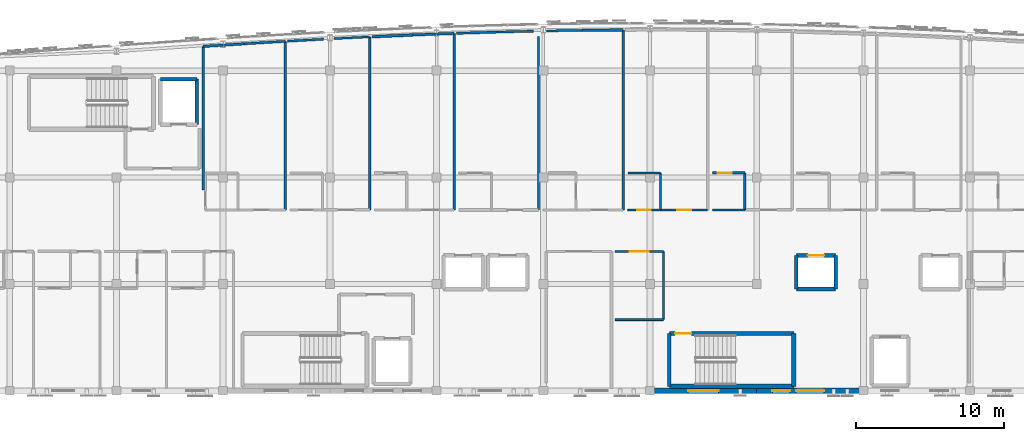
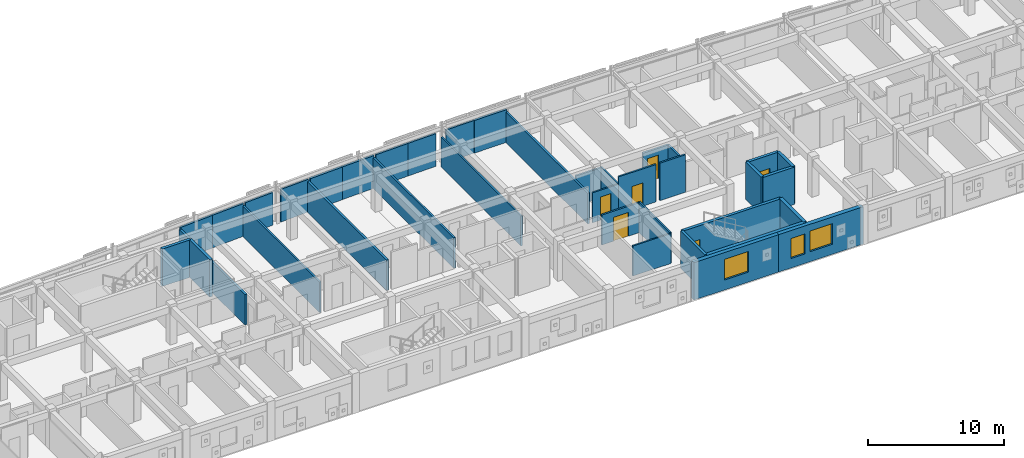
# One storey, part 42 of 51: 38 walls, 6 doors, 3 windows, 9 openings.
"""IFC4 building model written with IfcOpenShell, lengths in metres."""

from ifc_helpers import new_model, si_unit, direction, frame, frame_2d, origin, place, context, subcontext, project, spatial, rectangle, extrude, material, layer, layer_set, type_object, element, fill, save


model = new_model("IFC4")

# Units and contexts
model_context = context("Model", 3, precision=1e-05, world=origin(), true_north=direction((0.0, 1.0)))
body_context = subcontext(model_context, "Body", "Model", "MODEL_VIEW")
ifc_project = project(units=[si_unit("LENGTHUNIT", "METRE"), si_unit("AREAUNIT", "SQUARE_METRE"), si_unit("VOLUMEUNIT", "CUBIC_METRE"), si_unit("PLANEANGLEUNIT", "RADIAN"), si_unit("MASSUNIT", "GRAM", prefix="KILO")], contexts=[model_context])

# Site, building, storey
site_placement = place(None, origin())
site = spatial("IfcSite", under=ifc_project, at=site_placement, CompositionType="ELEMENT")
building_placement = place(site_placement, origin())
building = spatial("IfcBuilding", under=site, at=building_placement, Name="Carrowvane Square Congress Hotel", CompositionType="ELEMENT")
storey_placement = place(building_placement, frame((0.0, 0.0, 30.0)))
storey = spatial("IfcBuildingStorey", under=building, at=storey_placement, Name="L07", CompositionType="ELEMENT", Elevation=30.0)

# Wall, openings, windows
ifc_material_1 = material(Name="Glazed terracotta rainscreen", Category="masonry")
ifc_layer_1 = layer(ifc_material_1, 0.360107421875)
ifc_layer_set_1 = layer_set([ifc_layer_1], Name="Glazed terracotta rainscreen")
wall_type_1 = type_object("IfcWallType", Name="WL-EXT-TC360", PredefinedType="STANDARD", material=ifc_layer_set_1)
wall_1_placement = place(storey_placement, frame((112.39990234375, 91.800048828125, 0.0), z_axis=(0.0, 0.0, 1.0), x_axis=(-1.0, 0.0, 0.0)))
wall_1 = element("IfcWall", 1, at=wall_1_placement, inside=storey, type_object=wall_type_1, Name="L07 exterior facade wall 521", PredefinedType="STANDARD", context=body_context, shape_type="SweptSolid", body=[
    extrude(rectangle(XDim=7.199951171875, YDim=0.360107421875, at=frame_2d((3.60009765625, 0.0))), origin(), (0.0, 0.0, 1.0), 3.360107421875),
])
opening_1_placement = place(wall_1_placement, frame((2.64990234375, 0.0, 0.89990234375)))
opening_1 = element("IfcOpeningElement", 2, at=opening_1_placement, cuts=wall_1, Name="Opening W-25", PredefinedType="OPENING", context=body_context, shape_type="SweptSolid", body=[
    extrude(rectangle(XDim=1.89990234375, YDim=1.85009765625, at=frame_2d((0.949951171875, 0.925048828125))), frame((0.0, 0.18994140625, 0.0), z_axis=(0.0, -1.0, 0.0), x_axis=(1.0, 0.0, 0.0)), (0.0, 0.0, 1.0), 0.380126953125),
])
opening_2_placement = place(wall_1_placement, frame((4.949951171875, 0.0, 0.85009765625)))
opening_2 = element("IfcOpeningElement", 3, at=opening_2_placement, cuts=wall_1, Name="Opening W-01", PredefinedType="OPENING", context=body_context, shape_type="SweptSolid", body=[
    extrude(rectangle(XDim=1.199951171875, YDim=1.800048828125, at=frame_2d((0.60009765625, 0.89990234375))), frame((0.0, 0.18994140625, 0.0), z_axis=(0.0, -1.0, 0.0), x_axis=(1.0, 0.0, 0.0)), (0.0, 0.0, 1.0), 0.380126953125),
])
ifc_material_2 = material(Name="Double-glazed low-E glass", Category="glass")
window_type_1 = type_object("IfcWindowType", Name="WIN-01", PartitioningType="SINGLE_PANEL", PredefinedType="WINDOW", material=ifc_material_2)
window_1_placement = place(opening_2_placement, origin())
window_1 = element("IfcWindow", 4, at=window_1_placement, inside=storey, type_object=window_type_1, Name="L07 guest bedroom window 356", OverallHeight=1.800048828125, OverallWidth=1.199951171875, PartitioningType="SINGLE_PANEL", PredefinedType="WINDOW", context=body_context, shape_type="SweptSolid", body=[
    extrude(rectangle(XDim=1.199951171875, YDim=1.800048828125, at=frame_2d((0.60009765625, 0.89990234375))), frame((0.0, 0.030029296875, 0.0), z_axis=(0.0, -1.0, 0.0), x_axis=(1.0, 0.0, 0.0)), (0.0, 0.0, 1.0), 0.06005859375),
])
fill(opening_2, window_1)
ifc_material_3 = material(Name="Double-glazed low-E glass", Category="glass")
window_type_2 = type_object("IfcWindowType", Name="WIN-25", PartitioningType="SINGLE_PANEL", PredefinedType="WINDOW", material=ifc_material_3)
window_2_placement = place(opening_1_placement, origin())
window_2 = element("IfcWindow", 5, at=window_2_placement, inside=storey, type_object=window_type_2, Name="L07 facade window 355", OverallHeight=1.85009765625, OverallWidth=1.89990234375, PartitioningType="SINGLE_PANEL", PredefinedType="WINDOW", context=body_context, shape_type="SweptSolid", body=[
    extrude(rectangle(XDim=1.89990234375, YDim=1.85009765625, at=frame_2d((0.949951171875, 0.925048828125))), frame((0.0, 0.030029296875, 0.0), z_axis=(0.0, -1.0, 0.0), x_axis=(1.0, 0.0, 0.0)), (0.0, 0.0, 1.0), 0.06005859375),
])
fill(opening_1, window_2)

# Wall, opening, window
wall_2_placement = place(storey_placement, frame((105.199951171875, 91.800048828125, 0.0), z_axis=(0.0, 0.0, 1.0), x_axis=(-1.0, 0.0, 0.0)))
wall_2 = element("IfcWall", 6, at=wall_2_placement, inside=storey, type_object=wall_type_1, Name="L07 exterior facade wall 522", PredefinedType="STANDARD", context=body_context, shape_type="SweptSolid", body=[
    extrude(rectangle(XDim=7.199951171875, YDim=0.360107421875, at=frame_2d((3.60009765625, 0.0))), origin(), (0.0, 0.0, 1.0), 3.360107421875),
])
opening_3_placement = place(wall_2_placement, frame((2.574951171875, 0.0, 0.89990234375)))
opening_3 = element("IfcOpeningElement", 7, at=opening_3_placement, cuts=wall_2, Name="Opening W-26", PredefinedType="OPENING", context=body_context, shape_type="SweptSolid", body=[
    extrude(rectangle(XDim=2.050048828125, YDim=1.85009765625, at=frame_2d((1.02490234375, 0.925048828125))), frame((0.0, 0.18994140625, 0.0), z_axis=(0.0, -1.0, 0.0), x_axis=(1.0, 0.0, 0.0)), (0.0, 0.0, 1.0), 0.380126953125),
])
ifc_material_4 = material(Name="Double-glazed low-E glass", Category="glass")
window_type_3 = type_object("IfcWindowType", Name="WIN-26", PartitioningType="SINGLE_PANEL", PredefinedType="WINDOW", material=ifc_material_4)
window_3_placement = place(opening_3_placement, origin())
window_3 = element("IfcWindow", 8, at=window_3_placement, inside=storey, type_object=window_type_3, Name="L07 facade window 357", OverallHeight=1.85009765625, OverallWidth=2.050048828125, PartitioningType="SINGLE_PANEL", PredefinedType="WINDOW", context=body_context, shape_type="SweptSolid", body=[
    extrude(rectangle(XDim=2.050048828125, YDim=1.85009765625, at=frame_2d((1.02490234375, 0.925048828125))), frame((0.0, 0.030029296875, 0.0), z_axis=(0.0, -1.0, 0.0), x_axis=(1.0, 0.0, 0.0)), (0.0, 0.0, 1.0), 0.06005859375),
])
fill(opening_3, window_3)

# Walls
ifc_material_5 = material(Name="Acoustic gypsum board", Category="gypsum")
ifc_layer_2 = layer(ifc_material_5, 0.155029296875)
ifc_layer_set_2 = layer_set([ifc_layer_2], Name="Acoustic gypsum board")
wall_type_2 = type_object("IfcWallType", Name="WL-FIR-155", PredefinedType="PARTITIONING", material=ifc_layer_set_2)
wall_3_placement = place(storey_placement, frame((70.6201171875, 115.213134765625, 0.0), z_axis=(0.0, 0.0, 1.0), x_axis=(0.998192726689, 0.06009392969, 0.0)))
element("IfcWall", 9, at=wall_3_placement, inside=storey, type_object=wall_type_2, Name="L07 Parkview Suite 0713 partition", PredefinedType="PARTITIONING", context=body_context, shape_type="SweptSolid", body=[
    extrude(rectangle(XDim=2.77490234375, YDim=0.155029296875, at=frame_2d((1.387451171875, 0.0))), origin(), (0.0, 0.0, 1.0), 2.935546875),
])
wall_4_placement = place(storey_placement, frame((84.7900390625, 115.9150390625, 0.0), z_axis=(0.0, 0.0, 1.0), x_axis=(0.0, -1.0, 0.0)))
element("IfcWall", 10, at=wall_4_placement, inside=storey, type_object=wall_type_2, Name="L07 Parkview Suite 0715 partition", PredefinedType="PARTITIONING", context=body_context, shape_type="SweptSolid", body=[
    extrude(rectangle(XDim=11.9150390625, YDim=0.155029296875, at=frame_2d((5.95751953125, 0.0))), origin(), (0.0, 0.0, 1.0), 2.7451171875),
])
wall_5_placement = place(storey_placement, frame((84.949951171875, 115.920654296875, 0.0), z_axis=(0.0, 0.0, 1.0), x_axis=(0.999524543579, 0.030833209083, 0.0)))
element("IfcWall", 11, at=wall_5_placement, inside=storey, type_object=wall_type_2, Name="L07 Parkview Suite 0716 partition", PredefinedType="PARTITIONING", context=body_context, shape_type="SweptSolid", body=[
    extrude(rectangle(XDim=2.771240234375, YDim=0.155029296875, at=frame_2d((1.3857421875, 0.0))), origin(), (0.0, 0.0, 1.0), 2.935546875),
])
wall_6_placement = place(storey_placement, frame((104.39990234375, 106.5, 0.0), z_axis=(0.0, 0.0, 1.0), x_axis=(0.0, -1.0, 0.0)))
element("IfcWall", 12, at=wall_6_placement, inside=storey, type_object=wall_type_2, Name="L07 En-suite Bathroom 0719 partition", PredefinedType="PARTITIONING", context=body_context, shape_type="SweptSolid", body=[
    extrude(rectangle(XDim=2.5, YDim=0.155029296875, at=frame_2d((1.25, 0.0))), origin(), (0.0, 0.0, 1.0), 2.7451171875),
])
ifc_material_6 = material(Name="Acoustic gypsum board", Category="gypsum")
ifc_layer_3 = layer(ifc_material_6, 0.169921875)
ifc_layer_set_3 = layer_set([ifc_layer_3], Name="Acoustic gypsum board")
wall_type_3 = type_object("IfcWallType", Name="WL-FIR-170", PredefinedType="PARTITIONING", material=ifc_layer_set_3)
wall_7_placement = place(storey_placement, frame((67.85009765625, 115.035888671875, 0.0), z_axis=(0.0, 0.0, 1.0), x_axis=(0.997959077282, 0.063856715151, 0.0)))
element("IfcWall", 13, at=wall_7_placement, inside=storey, type_object=wall_type_3, Name="L07 Parkview Suite 0713 partition", PredefinedType="PARTITIONING", context=body_context, shape_type="SweptSolid", body=[
    extrude(rectangle(XDim=2.775634765625, YDim=0.169921875, at=frame_2d((1.3876953125, 0.0))), origin(), (0.0, 0.0, 1.0), 2.935546875),
])
wall_8_placement = place(storey_placement, frame((82.02001953125, 115.810546875, 0.0), z_axis=(0.0, 0.0, 1.0), x_axis=(0.999289263223, 0.03769573459, 0.0)))
element("IfcWall", 14, at=wall_8_placement, inside=storey, type_object=wall_type_3, Name="L07 Parkview Suite 0715 partition", PredefinedType="PARTITIONING", context=body_context, shape_type="SweptSolid", body=[
    extrude(rectangle(XDim=2.77197265625, YDim=0.169921875, at=frame_2d((1.385986328125, 0.0))), origin(), (0.0, 0.0, 1.0), 2.935546875),
])
wall_9_placement = place(storey_placement, frame((96.18994140625, 116.14404296875, 0.0), z_axis=(0.0, 0.0, 1.0), x_axis=(0.0, -1.0, 0.0)))
element("IfcWall", 15, at=wall_9_placement, inside=storey, type_object=wall_type_3, Name="L07 Parkview Suite 0717 partition", PredefinedType="PARTITIONING", context=body_context, shape_type="SweptSolid", body=[
    extrude(rectangle(XDim=12.14404296875, YDim=0.169921875, at=frame_2d((6.072021484375, 0.0))), origin(), (0.0, 0.0, 1.0), 2.7451171875),
])

# Wall, opening, door
wall_10_placement = place(storey_placement, frame((102.199951171875, 106.5, 0.0), z_axis=(0.0, 0.0, 1.0), x_axis=(1.0, 0.0, 0.0)))
wall_10 = element("IfcWall", 16, at=wall_10_placement, inside=storey, type_object=wall_type_3, Name="L07 En-suite Bathroom 0719 partition", PredefinedType="PARTITIONING", context=body_context, shape_type="SweptSolid", body=[
    extrude(rectangle(XDim=2.199951171875, YDim=0.169921875, at=frame_2d((1.10009765625, 0.0))), origin(), (0.0, 0.0, 1.0), 2.7451171875),
])
opening_4_placement = place(wall_10_placement, frame((0.385009765625, 0.0, 0.0)))
opening_4 = element("IfcOpeningElement", 17, at=opening_4_placement, cuts=wall_10, Name="Opening ID-18", PredefinedType="OPENING", context=body_context, shape_type="SweptSolid", body=[
    extrude(rectangle(XDim=0.929931640625, YDim=2.1298828125, at=frame_2d((0.46484375, 1.06494140625))), frame((0.0, 0.094970703125, 0.0), z_axis=(0.0, -1.0, 0.0), x_axis=(1.0, 0.0, 0.0)), (0.0, 0.0, 1.0), 0.18994140625),
])
ifc_material_7 = material(Name="European oak timber", Category="wood")
door_type_1 = type_object("IfcDoorType", Name="DR-INT-0930x2130", OperationType="NOTDEFINED", PredefinedType="DOOR", material=ifc_material_7)
door_1_placement = place(opening_4_placement, origin())
door_1 = element("IfcDoor", 18, at=door_1_placement, inside=storey, type_object=door_type_1, Name="L07 En-suite Bathroom 0719 door", OperationType="SINGLE_SWING_LEFT", OverallHeight=2.1298828125, OverallWidth=0.929931640625, PredefinedType="DOOR", context=body_context, shape_type="SweptSolid", body=[
    extrude(rectangle(XDim=0.929931640625, YDim=2.1298828125, at=frame_2d((0.46484375, 1.06494140625))), frame((0.0, 0.02490234375, 0.0), z_axis=(0.0, -1.0, 0.0), x_axis=(1.0, 0.0, 0.0)), (0.0, 0.0, 1.0), 0.050048828125),
])
fill(opening_4, door_1)

# Walls
ifc_material_8 = material(Name="Acoustic gypsum board", Category="gypsum")
ifc_layer_4 = layer(ifc_material_8, 0.18505859375)
ifc_layer_set_4 = layer_set([ifc_layer_4], Name="Acoustic gypsum board")
wall_type_4 = type_object("IfcWallType", Name="WL-FIR-185", PredefinedType="PARTITIONING", material=ifc_layer_set_4)
wall_11_placement = place(storey_placement, frame((67.85009765625, 105.364990234375, 0.0), z_axis=(0.0, 0.0, 1.0), x_axis=(0.0, 1.0, 0.0)))
element("IfcWall", 19, at=wall_11_placement, inside=storey, type_object=wall_type_4, Name="L07 Parkview Suite 0713 partition", PredefinedType="PARTITIONING", context=body_context, shape_type="SweptSolid", body=[
    extrude(rectangle(XDim=9.6708984375, YDim=0.18505859375, at=frame_2d((4.83544921875, 0.0))), origin(), (0.0, 0.0, 1.0), 2.7451171875),
])
wall_12_placement = place(storey_placement, frame((79.090087890625, 115.681640625, 0.0), z_axis=(0.0, 0.0, 1.0), x_axis=(0.0, -1.0, 0.0)))
element("IfcWall", 20, at=wall_12_placement, inside=storey, type_object=wall_type_4, Name="L07 Parkview Suite 0714 partition", PredefinedType="PARTITIONING", context=body_context, shape_type="SweptSolid", body=[
    extrude(rectangle(XDim=11.681640625, YDim=0.18505859375, at=frame_2d((5.8408203125, 0.0))), origin(), (0.0, 0.0, 1.0), 2.7451171875),
])
wall_13_placement = place(storey_placement, frame((79.25, 115.68896484375, 0.0), z_axis=(0.0, 0.0, 1.0), x_axis=(0.999038130447, 0.043849902077, 0.0)))
element("IfcWall", 21, at=wall_13_placement, inside=storey, type_object=wall_type_4, Name="L07 Parkview Suite 0715 partition", PredefinedType="PARTITIONING", context=body_context, shape_type="SweptSolid", body=[
    extrude(rectangle(XDim=2.772705078125, YDim=0.18505859375, at=frame_2d((1.38623046875, 0.0))), origin(), (0.0, 0.0, 1.0), 2.935546875),
])
wall_14_placement = place(storey_placement, frame((93.419921875, 116.120849609375, 0.0), z_axis=(0.0, 0.0, 1.0), x_axis=(0.999964948321, 0.008372701401, 0.0)))
element("IfcWall", 22, at=wall_14_placement, inside=storey, type_object=wall_type_4, Name="L07 Parkview Suite 0717 partition", PredefinedType="PARTITIONING", context=body_context, shape_type="SweptSolid", body=[
    extrude(rectangle(XDim=2.77001953125, YDim=0.18505859375, at=frame_2d((1.385009765625, 0.0))), origin(), (0.0, 0.0, 1.0), 2.935546875),
])
ifc_material_9 = material(Name="Acoustic gypsum board", Category="gypsum")
ifc_layer_5 = layer(ifc_material_9, 0.1279296875)
ifc_layer_set_5 = layer_set([ifc_layer_5], Name="Acoustic gypsum board")
wall_type_5 = type_object("IfcWallType", Name="WL-PRT-128", PredefinedType="PARTITIONING", material=ifc_layer_set_5)
wall_15_placement = place(storey_placement, frame((98.89990234375, 96.60009765625, 0.0), z_axis=(0.0, 0.0, 1.0), x_axis=(-1.0, 0.0, 0.0)))
element("IfcWall", 23, at=wall_15_placement, inside=storey, type_object=wall_type_5, Name="L07 L07 Accessible Guest WC partition", PredefinedType="PARTITIONING", context=body_context, shape_type="SweptSolid", body=[
    extrude(rectangle(XDim=3.25, YDim=0.1279296875, at=frame_2d((1.625, 0.0))), origin(), (0.0, 0.0, 1.0), 2.695068359375),
])

# Wall, opening, door
wall_16_placement = place(storey_placement, frame((98.699951171875, 104.0, 0.0), z_axis=(0.0, 0.0, 1.0), x_axis=(-1.0, 0.0, 0.0)))
wall_16 = element("IfcWall", 24, at=wall_16_placement, inside=storey, type_object=wall_type_5, Name="L07 En-suite Bathroom 0718 partition", PredefinedType="PARTITIONING", context=body_context, shape_type="SweptSolid", body=[
    extrude(rectangle(XDim=2.199951171875, YDim=0.1279296875, at=frame_2d((1.10009765625, 0.0))), origin(), (0.0, 0.0, 1.0), 2.695068359375),
])
opening_5_placement = place(wall_16_placement, frame((0.655029296875, 0.0, 0.0)))
opening_5 = element("IfcOpeningElement", 25, at=opening_5_placement, cuts=wall_16, Name="Opening ID-16", PredefinedType="OPENING", context=body_context, shape_type="SweptSolid", body=[
    extrude(rectangle(XDim=0.889892578125, YDim=2.090087890625, at=frame_2d((0.44482421875, 1.044921875))), frame((0.0, 0.073974609375, 0.0), z_axis=(0.0, -1.0, 0.0), x_axis=(1.0, 0.0, 0.0)), (0.0, 0.0, 1.0), 0.14794921875),
])
ifc_material_10 = material(Name="European oak timber", Category="wood")
door_type_2 = type_object("IfcDoorType", Name="DR-INT-0890x2090", OperationType="NOTDEFINED", PredefinedType="DOOR", material=ifc_material_10)
door_2_placement = place(opening_5_placement, origin())
door_2 = element("IfcDoor", 26, at=door_2_placement, inside=storey, type_object=door_type_2, Name="L07 En-suite Bathroom 0718 door", OperationType="SINGLE_SWING_LEFT", OverallHeight=2.090087890625, OverallWidth=0.889892578125, PredefinedType="DOOR", context=body_context, shape_type="SweptSolid", body=[
    extrude(rectangle(XDim=0.889892578125, YDim=2.090087890625, at=frame_2d((0.44482421875, 1.044921875))), frame((0.0, 0.02490234375, 0.0), z_axis=(0.0, -1.0, 0.0), x_axis=(1.0, 0.0, 0.0)), (0.0, 0.0, 1.0), 0.050048828125),
])
fill(opening_5, door_2)

# Walls
ifc_material_11 = material(Name="Acoustic gypsum board", Category="gypsum")
ifc_layer_6 = layer(ifc_material_11, 0.137939453125)
ifc_layer_set_6 = layer_set([ifc_layer_6], Name="Acoustic gypsum board")
wall_type_6 = type_object("IfcWallType", Name="WL-PRT-138", PredefinedType="PARTITIONING", material=ifc_layer_set_6)
wall_17_placement = place(storey_placement, frame((98.89990234375, 101.199951171875, 0.0), z_axis=(0.0, 0.0, 1.0), x_axis=(0.0, -1.0, 0.0)))
element("IfcWall", 27, at=wall_17_placement, inside=storey, type_object=wall_type_6, Name="L07 L07 Accessible Guest WC partition", PredefinedType="PARTITIONING", context=body_context, shape_type="SweptSolid", body=[
    extrude(rectangle(XDim=4.599853515625, YDim=0.137939453125, at=frame_2d((2.2998046875, 0.0))), origin(), (0.0, 0.0, 1.0), 2.7451171875),
])
wall_18_placement = place(storey_placement, frame((76.679443359375, 115.561279296875, 0.0), z_axis=(0.0, 0.0, 1.0), x_axis=(0.998755867805, 0.049866988336, 0.0)))
element("IfcWall", 28, at=wall_18_placement, inside=storey, type_object=wall_type_6, Name="L07 Parkview Suite 0714 partition", PredefinedType="PARTITIONING", context=body_context, shape_type="SweptSolid", body=[
    extrude(rectangle(XDim=2.41357421875, YDim=0.137939453125, at=frame_2d((1.206787109375, 0.0))), origin(), (0.0, 0.0, 1.0), 2.935546875),
])
wall_19_placement = place(storey_placement, frame((90.489990234375, 115.712890625, 0.0), z_axis=(0.0, 0.0, 1.0), x_axis=(0.0, -1.0, 0.0)))
element("IfcWall", 29, at=wall_19_placement, inside=storey, type_object=wall_type_6, Name="L07 Parkview Suite 0716 partition", PredefinedType="PARTITIONING", context=body_context, shape_type="SweptSolid", body=[
    extrude(rectangle(XDim=11.712890625, YDim=0.137939453125, at=frame_2d((5.8564453125, 0.0))), origin(), (0.0, 0.0, 1.0), 2.695068359375),
])
wall_20_placement = place(storey_placement, frame((91.010009765625, 116.08203125, 0.0), z_axis=(0.0, 0.0, 1.0), x_axis=(0.999870294782, 0.016105701233, 0.0)))
element("IfcWall", 30, at=wall_20_placement, inside=storey, type_object=wall_type_6, Name="L07 Parkview Suite 0717 partition", PredefinedType="PARTITIONING", context=body_context, shape_type="SweptSolid", body=[
    extrude(rectangle(XDim=2.41015625, YDim=0.137939453125, at=frame_2d((1.205078125, 0.0))), origin(), (0.0, 0.0, 1.0), 2.935546875),
])
wall_21_placement = place(storey_placement, frame((98.699951171875, 106.5, 0.0), z_axis=(0.0, 0.0, 1.0), x_axis=(0.0, -1.0, 0.0)))
element("IfcWall", 31, at=wall_21_placement, inside=storey, type_object=wall_type_6, Name="L07 En-suite Bathroom 0718 partition", PredefinedType="PARTITIONING", context=body_context, shape_type="SweptSolid", body=[
    extrude(rectangle(XDim=2.5, YDim=0.137939453125, at=frame_2d((1.25, 0.0))), origin(), (0.0, 0.0, 1.0), 2.7451171875),
])

# Wall, opening, door
wall_22_placement = place(storey_placement, frame((101.889892578125, 104.0, 0.0), z_axis=(0.0, 0.0, 1.0), x_axis=(-1.0, 0.0, 0.0)))
wall_22 = element("IfcWall", 32, at=wall_22_placement, inside=storey, type_object=wall_type_6, Name="L07 Parkview Suite 0718 partition", PredefinedType="PARTITIONING", context=body_context, shape_type="SweptSolid", body=[
    extrude(rectangle(XDim=3.179931640625, YDim=0.137939453125, at=frame_2d((1.58984375, 0.0))), origin(), (0.0, 0.0, 1.0), 3.360107421875),
])
opening_6_placement = place(wall_22_placement, frame((1.114990234375, 0.0, 0.0)))
opening_6 = element("IfcOpeningElement", 33, at=opening_6_placement, cuts=wall_22, Name="Opening FD-06", PredefinedType="OPENING", context=body_context, shape_type="SweptSolid", body=[
    extrude(rectangle(XDim=0.949951171875, YDim=2.10009765625, at=frame_2d((0.47509765625, 1.050048828125))), frame((0.0, 0.078857421875, 0.0), z_axis=(0.0, -1.0, 0.0), x_axis=(1.0, 0.0, 0.0)), (0.0, 0.0, 1.0), 0.157958984375),
])
ifc_material_12 = material(Name="European oak timber", Category="wood")
door_type_3 = type_object("IfcDoorType", Name="DR-FD30-0950x2100", OperationType="NOTDEFINED", PredefinedType="DOOR", material=ifc_material_12)
door_3_placement = place(opening_6_placement, origin())
door_3 = element("IfcDoor", 34, at=door_3_placement, inside=storey, type_object=door_type_3, Name="L07 Parkview Suite 0718 entrance door", OperationType="SINGLE_SWING_RIGHT", OverallHeight=2.10009765625, OverallWidth=0.949951171875, PredefinedType="DOOR", context=body_context, shape_type="SweptSolid", body=[
    extrude(rectangle(XDim=0.949951171875, YDim=2.10009765625, at=frame_2d((0.47509765625, 1.050048828125))), frame((0.0, 0.02490234375, 0.0), z_axis=(0.0, -1.0, 0.0), x_axis=(1.0, 0.0, 0.0)), (0.0, 0.0, 1.0), 0.050048828125),
])
fill(opening_6, door_3)

ifc_material_13 = material(Name="Acoustic gypsum board", Category="gypsum")
ifc_layer_7 = layer(ifc_material_13, 0.14794921875)
ifc_layer_set_7 = layer_set([ifc_layer_7], Name="Acoustic gypsum board")
wall_type_7 = type_object("IfcWallType", Name="WL-PRT-148", PredefinedType="PARTITIONING", material=ifc_layer_set_7)
wall_23_placement = place(storey_placement, frame((95.64990234375, 101.199951171875, 0.0), z_axis=(0.0, 0.0, 1.0), x_axis=(1.0, 0.0, 0.0)))
wall_23 = element("IfcWall", 35, at=wall_23_placement, inside=storey, type_object=wall_type_7, Name="L07 L07 Accessible Guest WC partition", PredefinedType="PARTITIONING", context=body_context, shape_type="SweptSolid", body=[
    extrude(rectangle(XDim=3.25, YDim=0.14794921875, at=frame_2d((1.625, 0.0))), origin(), (0.0, 0.0, 1.0), 2.695068359375),
])
opening_7_placement = place(wall_23_placement, frame((0.97509765625, 0.0, 0.0)))
opening_7 = element("IfcOpeningElement", 36, at=opening_7_placement, cuts=wall_23, Name="Opening FD-03", PredefinedType="OPENING", context=body_context, shape_type="SweptSolid", body=[
    extrude(rectangle(XDim=1.300048828125, YDim=2.14990234375, at=frame_2d((0.64990234375, 1.074951171875))), frame((0.0, 0.083984375, 0.0), z_axis=(0.0, -1.0, 0.0), x_axis=(1.0, 0.0, 0.0)), (0.0, 0.0, 1.0), 0.16796875),
])
ifc_material_14 = material(Name="European oak timber", Category="wood")
door_type_4 = type_object("IfcDoorType", Name="DR-FD60-1300x2150", OperationType="NOTDEFINED", PredefinedType="DOOR", material=ifc_material_14)
door_4_placement = place(opening_7_placement, origin())
door_4 = element("IfcDoor", 37, at=door_4_placement, inside=storey, type_object=door_type_4, Name="L07 L07 Accessible Guest WC entrance door", OperationType="SINGLE_SWING_RIGHT", OverallHeight=2.14990234375, OverallWidth=1.300048828125, PredefinedType="DOOR", context=body_context, shape_type="SweptSolid", body=[
    extrude(rectangle(XDim=1.300048828125, YDim=2.14990234375, at=frame_2d((0.64990234375, 1.074951171875))), frame((0.0, 0.02490234375, 0.0), z_axis=(0.0, -1.0, 0.0), x_axis=(1.0, 0.0, 0.0)), (0.0, 0.0, 1.0), 0.050048828125),
])
fill(opening_7, door_4)

# Walls
wall_24_placement = place(storey_placement, frame((73.389892578125, 115.3798828125, 0.0), z_axis=(0.0, 0.0, 1.0), x_axis=(0.0, -1.0, 0.0)))
element("IfcWall", 38, at=wall_24_placement, inside=storey, type_object=wall_type_7, Name="L07 Parkview Suite 0713 partition", PredefinedType="PARTITIONING", context=body_context, shape_type="SweptSolid", body=[
    extrude(rectangle(XDim=11.3798828125, YDim=0.14794921875, at=frame_2d((5.68994140625, 0.0))), origin(), (0.0, 0.0, 1.0), 2.7451171875),
])
wall_25_placement = place(storey_placement, frame((73.550048828125, 115.389404296875, 0.0), z_axis=(0.0, 0.0, 1.0), x_axis=(0.998463152475, 0.0554196098, 0.0)))
element("IfcWall", 39, at=wall_25_placement, inside=storey, type_object=wall_type_7, Name="L07 Parkview Suite 0714 partition", PredefinedType="PARTITIONING", context=body_context, shape_type="SweptSolid", body=[
    extrude(rectangle(XDim=2.4140625, YDim=0.14794921875, at=frame_2d((1.20703125, 0.0))), origin(), (0.0, 0.0, 1.0), 2.935546875),
])
wall_26_placement = place(storey_placement, frame((87.719970703125, 116.006103515625, 0.0), z_axis=(0.0, 0.0, 1.0), x_axis=(0.999709514567, 0.024101586757, 0.0)))
element("IfcWall", 40, at=wall_26_placement, inside=storey, type_object=wall_type_7, Name="L07 Parkview Suite 0716 partition", PredefinedType="PARTITIONING", context=body_context, shape_type="SweptSolid", body=[
    extrude(rectangle(XDim=2.410888671875, YDim=0.14794921875, at=frame_2d((1.20556640625, 0.0))), origin(), (0.0, 0.0, 1.0), 2.935546875),
])
wall_27_placement = place(storey_placement, frame((96.5, 106.5, 0.0), z_axis=(0.0, 0.0, 1.0), x_axis=(1.0, 0.0, 0.0)))
element("IfcWall", 41, at=wall_27_placement, inside=storey, type_object=wall_type_7, Name="L07 En-suite Bathroom 0718 partition", PredefinedType="PARTITIONING", context=body_context, shape_type="SweptSolid", body=[
    extrude(rectangle(XDim=2.199951171875, YDim=0.14794921875, at=frame_2d((1.10009765625, 0.0))), origin(), (0.0, 0.0, 1.0), 2.695068359375),
])
wall_28_placement = place(storey_placement, frame((104.39990234375, 104.0, 0.0), z_axis=(0.0, 0.0, 1.0), x_axis=(-1.0, 0.0, 0.0)))
element("IfcWall", 42, at=wall_28_placement, inside=storey, type_object=wall_type_7, Name="L07 En-suite Bathroom 0719 partition", PredefinedType="PARTITIONING", context=body_context, shape_type="SweptSolid", body=[
    extrude(rectangle(XDim=2.199951171875, YDim=0.14794921875, at=frame_2d((1.10009765625, 0.0))), origin(), (0.0, 0.0, 1.0), 3.360107421875),
])
ifc_material_15 = material(Name="Concrete C40/50", Category="concrete")
ifc_layer_8 = layer(ifc_material_15, 0.22509765625)
ifc_layer_set_8 = layer_set([ifc_layer_8], Name="Concrete C40/50")
wall_type_8 = type_object("IfcWallType", Name="WL-SHR-225", PredefinedType="SHEAR", material=ifc_layer_set_8)
wall_29_placement = place(storey_placement, frame((99.300048828125, 95.659912109375, 0.0), z_axis=(0.0, 0.0, 1.0), x_axis=(0.0, -1.0, 0.0)))
element("IfcWall", 43, at=wall_29_placement, inside=storey, type_object=wall_type_8, Name="L07 ST3 core wall west", PredefinedType="SHEAR", context=body_context, shape_type="SweptSolid", body=[
    extrude(rectangle(XDim=3.559814453125, YDim=0.22509765625, at=frame_2d((1.77978515625, 0.0))), origin(), (0.0, 0.0, 1.0), 3.360107421875),
])

# Wall, opening, door
ifc_material_16 = material(Name="Concrete C40/50", Category="concrete")
ifc_layer_9 = layer(ifc_material_16, 0.25)
ifc_layer_set_9 = layer_set([ifc_layer_9], Name="Concrete C40/50")
wall_type_9 = type_object("IfcWallType", Name="WL-SHR-250", PredefinedType="SHEAR", material=ifc_layer_set_9)
wall_30_placement = place(storey_placement, frame((107.699951171875, 95.659912109375, 0.0), z_axis=(0.0, 0.0, 1.0), x_axis=(-1.0, 0.0, 0.0)))
wall_30 = element("IfcWall", 44, at=wall_30_placement, inside=storey, type_object=wall_type_9, Name="L07 ST3 core wall north", PredefinedType="SHEAR", context=body_context, shape_type="SweptSolid", body=[
    extrude(rectangle(XDim=8.39990234375, YDim=0.25, at=frame_2d((4.199951171875, 0.0))), origin(), (0.0, 0.0, 1.0), 3.360107421875),
])
opening_8_placement = place(wall_30_placement, frame((6.909912109375, 0.0, 0.0)))
opening_8 = element("IfcOpeningElement", 45, at=opening_8_placement, cuts=wall_30, Name="Opening FD-01", PredefinedType="OPENING", context=body_context, shape_type="SweptSolid", body=[
    extrude(rectangle(XDim=1.10009765625, YDim=2.10009765625, at=frame_2d((0.550048828125, 1.050048828125))), frame((0.0, 0.135009765625, 0.0), z_axis=(0.0, -1.0, 0.0), x_axis=(1.0, 0.0, 0.0)), (0.0, 0.0, 1.0), 0.27001953125),
])
ifc_material_17 = material(Name="European oak timber", Category="wood")
door_type_5 = type_object("IfcDoorType", Name="DR-FD60-1100x2100", OperationType="NOTDEFINED", PredefinedType="DOOR", material=ifc_material_17)
door_5_placement = place(opening_8_placement, origin())
door_5 = element("IfcDoor", 46, at=door_5_placement, inside=storey, type_object=door_type_5, Name="L07 ST3 fire door", OperationType="SINGLE_SWING_LEFT", OverallHeight=2.10009765625, OverallWidth=1.10009765625, PredefinedType="DOOR", context=body_context, shape_type="SweptSolid", body=[
    extrude(rectangle(XDim=1.10009765625, YDim=2.10009765625, at=frame_2d((0.550048828125, 1.050048828125))), frame((0.0, 0.02490234375, 0.0), z_axis=(0.0, -1.0, 0.0), x_axis=(1.0, 0.0, 0.0)), (0.0, 0.0, 1.0), 0.050048828125),
])
fill(opening_8, door_5)

# Walls
wall_31_placement = place(storey_placement, frame((67.425048828125, 109.77490234375, 0.0), z_axis=(0.0, 0.0, 1.0), x_axis=(0.0, 1.0, 0.0)))
element("IfcWall", 47, at=wall_31_placement, inside=storey, type_object=wall_type_9, Name="L07 FFL-1 shaft wall east", PredefinedType="SHEAR", context=body_context, shape_type="SweptSolid", body=[
    extrude(rectangle(XDim=3.050048828125, YDim=0.25, at=frame_2d((1.52490234375, 0.0))), origin(), (0.0, 0.0, 1.0), 3.360107421875),
])
wall_32_placement = place(storey_placement, frame((67.425048828125, 112.824951171875, 0.0), z_axis=(0.0, 0.0, 1.0), x_axis=(-1.0, 0.0, 0.0)))
element("IfcWall", 48, at=wall_32_placement, inside=storey, type_object=wall_type_9, Name="L07 FFL-1 shaft wall north", PredefinedType="SHEAR", context=body_context, shape_type="SweptSolid", body=[
    extrude(rectangle(XDim=2.449951171875, YDim=0.25, at=frame_2d((1.22509765625, 0.0))), origin(), (0.0, 0.0, 1.0), 3.360107421875),
])
wall_33_placement = place(storey_placement, frame((107.875, 98.675048828125, 0.0), z_axis=(0.0, 0.0, 1.0), x_axis=(1.0, 0.0, 0.0)))
element("IfcWall", 49, at=wall_33_placement, inside=storey, type_object=wall_type_9, Name="L07 HL-3 shaft wall south", PredefinedType="SHEAR", context=body_context, shape_type="SweptSolid", body=[
    extrude(rectangle(XDim=2.64990234375, YDim=0.25, at=frame_2d((1.324951171875, 0.0))), origin(), (0.0, 0.0, 1.0), 3.360107421875),
])
wall_34_placement = place(storey_placement, frame((110.52490234375, 98.675048828125, 0.0), z_axis=(0.0, 0.0, 1.0), x_axis=(0.0, 1.0, 0.0)))
element("IfcWall", 50, at=wall_34_placement, inside=storey, type_object=wall_type_9, Name="L07 HL-3 shaft wall east", PredefinedType="SHEAR", context=body_context, shape_type="SweptSolid", body=[
    extrude(rectangle(XDim=2.25, YDim=0.25, at=frame_2d((1.125, 0.0))), origin(), (0.0, 0.0, 1.0), 3.360107421875),
])

# Wall, opening, door
wall_35_placement = place(storey_placement, frame((110.52490234375, 100.925048828125, 0.0), z_axis=(0.0, 0.0, 1.0), x_axis=(-1.0, 0.0, 0.0)))
wall_35 = element("IfcWall", 51, at=wall_35_placement, inside=storey, type_object=wall_type_9, Name="L07 HL-3 shaft wall north", PredefinedType="SHEAR", context=body_context, shape_type="SweptSolid", body=[
    extrude(rectangle(XDim=2.64990234375, YDim=0.25, at=frame_2d((1.324951171875, 0.0))), origin(), (0.0, 0.0, 1.0), 3.360107421875),
])
opening_9_placement = place(wall_35_placement, frame((0.77490234375, 0.0, 0.0)))
opening_9 = element("IfcOpeningElement", 52, at=opening_9_placement, cuts=wall_35, Name="Opening LD-HL-3", PredefinedType="OPENING", context=body_context, shape_type="SweptSolid", body=[
    extrude(rectangle(XDim=1.10009765625, YDim=2.14990234375, at=frame_2d((0.550048828125, 1.074951171875))), frame((0.0, 0.135009765625, 0.0), z_axis=(0.0, -1.0, 0.0), x_axis=(1.0, 0.0, 0.0)), (0.0, 0.0, 1.0), 0.27001953125),
])
ifc_material_18 = material(Name="Stainless steel 316", Category="steel")
door_type_6 = type_object("IfcDoorType", Name="DR-LD-1100x2150", OperationType="DOUBLE_DOOR_SLIDING", PredefinedType="DOOR", material=ifc_material_18)
door_6_placement = place(opening_9_placement, origin())
door_6 = element("IfcDoor", 53, at=door_6_placement, inside=storey, type_object=door_type_6, Name="L07 HL-3 sliding lift landing door", OperationType="DOUBLE_DOOR_SLIDING", OverallHeight=2.14990234375, OverallWidth=1.10009765625, PredefinedType="DOOR", context=body_context, shape_type="SweptSolid", body=[
    extrude(rectangle(XDim=1.10009765625, YDim=2.14990234375, at=frame_2d((0.550048828125, 1.074951171875))), frame((0.0, 0.02490234375, 0.0), z_axis=(0.0, -1.0, 0.0), x_axis=(1.0, 0.0, 0.0)), (0.0, 0.0, 1.0), 0.050048828125),
])
fill(opening_9, door_6)

# Walls
wall_36_placement = place(storey_placement, frame((107.875, 100.925048828125, 0.0), z_axis=(0.0, 0.0, 1.0), x_axis=(0.0, -1.0, 0.0)))
element("IfcWall", 54, at=wall_36_placement, inside=storey, type_object=wall_type_9, Name="L07 HL-3 shaft wall west", PredefinedType="SHEAR", context=body_context, shape_type="SweptSolid", body=[
    extrude(rectangle(XDim=2.25, YDim=0.25, at=frame_2d((1.125, 0.0))), origin(), (0.0, 0.0, 1.0), 3.360107421875),
])
ifc_material_19 = material(Name="Concrete C40/50", Category="concrete")
ifc_layer_10 = layer(ifc_material_19, 0.27490234375)
ifc_layer_set_10 = layer_set([ifc_layer_10], Name="Concrete C40/50")
wall_type_10 = type_object("IfcWallType", Name="WL-SHR-275", PredefinedType="SHEAR", material=ifc_layer_set_10)
wall_37_placement = place(storey_placement, frame((107.699951171875, 92.10009765625, 0.0), z_axis=(0.0, 0.0, 1.0), x_axis=(0.0, 1.0, 0.0)))
element("IfcWall", 55, at=wall_37_placement, inside=storey, type_object=wall_type_10, Name="L07 ST3 core wall east", PredefinedType="SHEAR", context=body_context, shape_type="SweptSolid", body=[
    extrude(rectangle(XDim=3.559814453125, YDim=0.27490234375, at=frame_2d((1.77978515625, 0.0))), origin(), (0.0, 0.0, 1.0), 3.360107421875),
])
ifc_material_20 = material(Name="Concrete C40/50", Category="concrete")
ifc_layer_11 = layer(ifc_material_20, 0.300048828125)
ifc_layer_set_11 = layer_set([ifc_layer_11], Name="Concrete C40/50")
wall_type_11 = type_object("IfcWallType", Name="WL-SHR-300", PredefinedType="SHEAR", material=ifc_layer_set_11)
wall_38_placement = place(storey_placement, frame((99.300048828125, 92.10009765625, 0.0), z_axis=(0.0, 0.0, 1.0), x_axis=(1.0, 0.0, 0.0)))
element("IfcWall", 56, at=wall_38_placement, inside=storey, type_object=wall_type_11, Name="L07 ST3 core wall south", PredefinedType="SHEAR", context=body_context, shape_type="SweptSolid", body=[
    extrude(rectangle(XDim=8.39990234375, YDim=0.300048828125, at=frame_2d((4.199951171875, 0.0))), origin(), (0.0, 0.0, 1.0), 3.360107421875),
])

save(model, "model.ifc")
